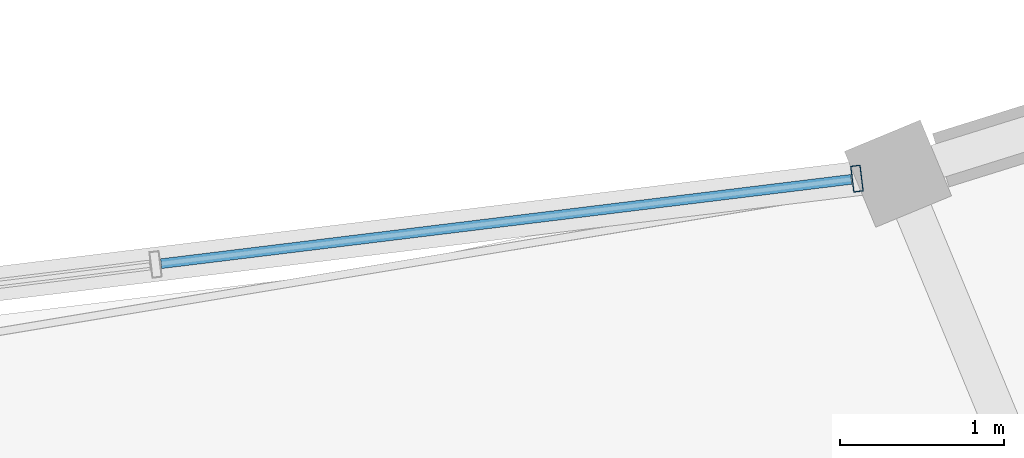
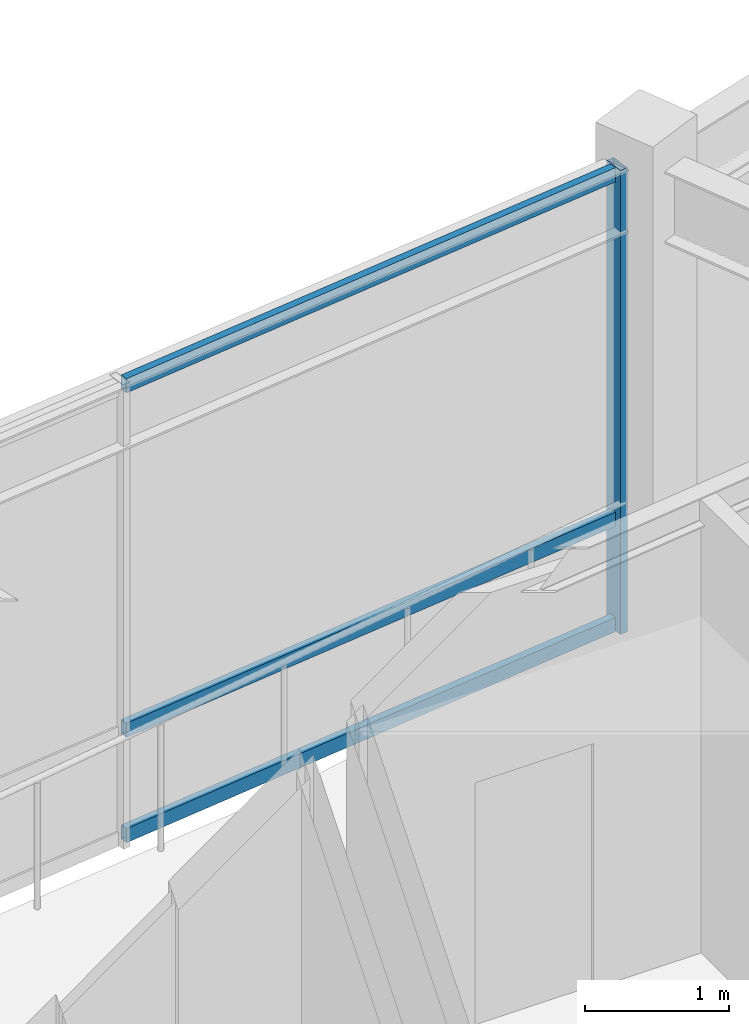
# One storey, part 44 of 79: 4 members, 1 element without a shape of its own.
"""IFC4 building model written with IfcOpenShell, lengths in metres."""

from ifc_helpers import new_model, si_unit, direction, frame, origin, origin_2d, place, context, subcontext, project, spatial, hollow_rectangle, extrude, material, material_profile, profile_set, type_object, element, aggregate, save


model = new_model("IFC4")

# Units and contexts
model_context = context("Model", 3, precision=1e-05, world=origin(), true_north=direction((0.0, 1.0)))
body_context = subcontext(model_context, "Body", "Model", "MODEL_VIEW")
ifc_project = project(units=[si_unit("LENGTHUNIT", "METRE"), si_unit("AREAUNIT", "SQUARE_METRE"), si_unit("VOLUMEUNIT", "CUBIC_METRE"), si_unit("PLANEANGLEUNIT", "RADIAN"), si_unit("MASSUNIT", "GRAM", prefix="KILO"), si_unit("THERMODYNAMICTEMPERATUREUNIT", "KELVIN"), si_unit("POWERUNIT", "WATT")], contexts=[model_context])

# Site, building, storey
site_placement = place(None, origin())
site = spatial("IfcSite", under=ifc_project, at=site_placement, CompositionType="ELEMENT")
building_placement = place(site_placement, origin())
building = spatial("IfcBuilding", under=site, at=building_placement, Name="Darbajah Civic Hall", CompositionType="ELEMENT")
storey_placement = place(building_placement, frame((0.0, 0.0, 22.199951171875)))
storey = spatial("IfcBuildingStorey", under=building, at=storey_placement, Name="L05", CompositionType="ELEMENT", Elevation=22.199951171875)

# Curtain wall, members
ifc_material_1 = material(Name="Anodised Bronze Aluminium and Low-E Glazing", Category="aluminium")
curtain_wall_type = type_object("IfcCurtainWallType", Name="Unitised Curtain Wall CW-73 12900x3900", PredefinedType="USERDEFINED", material=ifc_material_1)
curtain_wall_placement = place(storey_placement, origin())
curtain_wall = element("IfcCurtainWall", 1, at=curtain_wall_placement, inside=storey, type_object=curtain_wall_type, Name="L05 unitised curtain wall CW-V1I-L05-15", ObjectType="UNITISED CURTAIN WALL", PredefinedType="USERDEFINED")
ifc_material_2 = material(Name="Anodised Bronze Aluminium", Category="aluminium")
ifc_material_profile_1 = material_profile(ifc_material_2, hollow_rectangle(XDim=0.06005859375, YDim=0.159912109375, WallThickness=0.00341796875, at=origin_2d()), Name="ALU MULLION 60x160")
ifc_profile_set_1 = profile_set([ifc_material_profile_1], Name="Anodised Bronze Aluminium")
member_type_1 = type_object("IfcMemberType", Name="ALU MULLION 60x160", PredefinedType="MULLION", material=ifc_profile_set_1)
member_1_placement = place(storey_placement, frame((105.611328125, 69.1669921875, 0.0), z_axis=(0.0, 0.0, 1.0), x_axis=(0.992609826221, 0.121349630774, 0.0)))
member_1 = element("IfcMember", 2, at=member_1_placement, type_object=member_type_1, Name="CW-V1I-L05-15 mullion 4", PredefinedType="MULLION", context=body_context, shape_type="SweptSolid", body=[
    extrude(hollow_rectangle(XDim=0.06005859375, YDim=0.159912109375, WallThickness=0.00341796875, at=origin_2d()), origin(), (0.0, 0.0, 1.0), 3.920166015625),
])
ifc_material_profile_2 = material_profile(ifc_material_2, hollow_rectangle(XDim=0.06005859375, YDim=0.1201171875, WallThickness=0.003173828125, at=origin_2d()), Name="ALU TRANSOM 60x120")
ifc_profile_set_2 = profile_set([ifc_material_profile_2], Name="Anodised Bronze Aluminium")
member_type_2 = type_object("IfcMemberType", Name="ALU TRANSOM 60x120", PredefinedType="USERDEFINED", material=ifc_profile_set_2)
member_2_placement = place(storey_placement, frame((101.37109375, 68.648681640625, 0.06005859375), z_axis=(0.992616293306, 0.121296719924, 0.0), x_axis=(-0.121296719924, 0.992616293306, 0.0)))
member_2 = element("IfcMember", 3, at=member_2_placement, type_object=member_type_2, Name="CW-V1I-L05-15 transom 3.1", ObjectType="TRANSOM", PredefinedType="USERDEFINED", context=body_context, shape_type="SweptSolid", body=[
    extrude(hollow_rectangle(XDim=0.06005859375, YDim=0.1201171875, WallThickness=0.003173828125, at=origin_2d()), origin(), (0.0, 0.0, 1.0), 4.23681640625),
])
member_3_placement = place(storey_placement, frame((101.37109375, 68.648681640625, 0.949951171875), z_axis=(0.992616293306, 0.121296719924, 0.0), x_axis=(-0.121296719924, 0.992616293306, 0.0)))
member_3 = element("IfcMember", 4, at=member_3_placement, type_object=member_type_2, Name="CW-V1I-L05-15 transom 3.2", ObjectType="TRANSOM", PredefinedType="USERDEFINED", context=body_context, shape_type="SweptSolid", body=[
    extrude(hollow_rectangle(XDim=0.06005859375, YDim=0.1201171875, WallThickness=0.003173828125, at=origin_2d()), origin(), (0.0, 0.0, 1.0), 4.23681640625),
])
member_4_placement = place(storey_placement, frame((101.37109375, 68.648681640625, 3.860107421875), z_axis=(0.992616293306, 0.121296719924, 0.0), x_axis=(-0.121296719924, 0.992616293306, 0.0)))
member_4 = element("IfcMember", 5, at=member_4_placement, type_object=member_type_2, Name="CW-V1I-L05-15 transom 3.3", ObjectType="TRANSOM", PredefinedType="USERDEFINED", context=body_context, shape_type="SweptSolid", body=[
    extrude(hollow_rectangle(XDim=0.06005859375, YDim=0.1201171875, WallThickness=0.003173828125, at=origin_2d()), origin(), (0.0, 0.0, 1.0), 4.23681640625),
])
aggregate(curtain_wall, [member_1, member_2, member_3, member_4])

save(model, "model.ifc")
